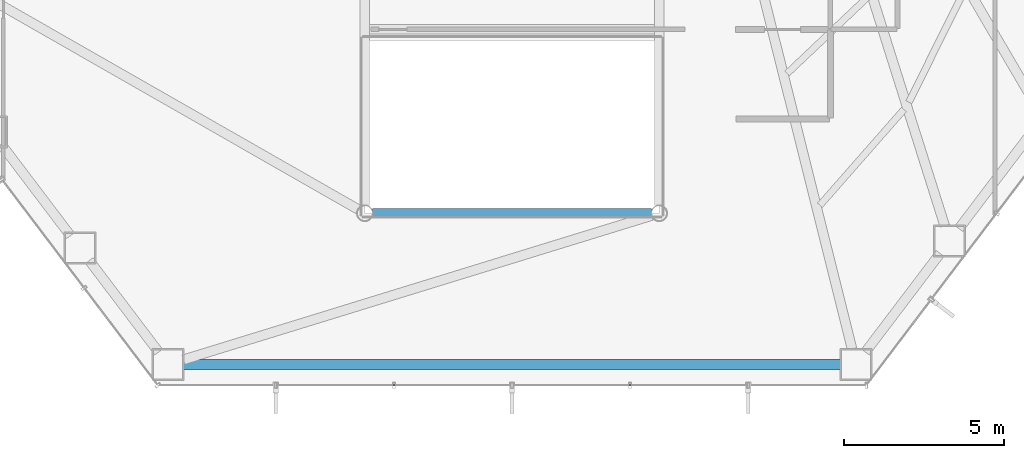
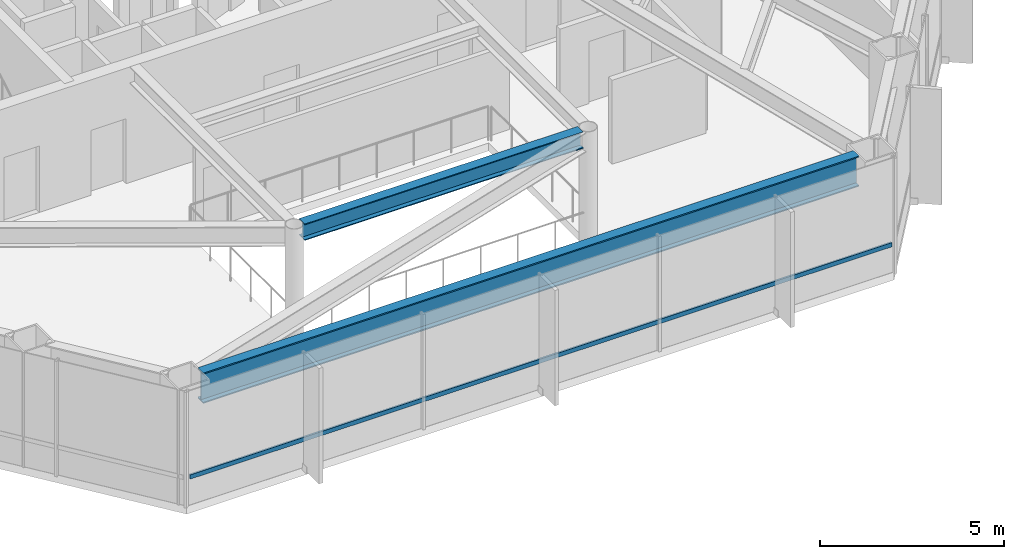
# One storey, part 7 of 25: 2 beams, 1 member, 1 element without a shape of its own.
"""IFC4 building model written with IfcOpenShell, lengths in metres."""

from ifc_helpers import new_model, si_unit, direction, frame, origin, origin_2d, place, context, subcontext, project, spatial, hollow_rectangle, i_section, extrude, material, layer, layer_set, material_profile, profile_set, type_object, element, aggregate, save


model = new_model("IFC4")

# Units and contexts
model_context = context("Model", 3, precision=1e-05, world=origin(), true_north=direction((0.0, 1.0)))
body_context = subcontext(model_context, "Body", "Model", "MODEL_VIEW")
ifc_project = project(units=[si_unit("LENGTHUNIT", "METRE"), si_unit("AREAUNIT", "SQUARE_METRE"), si_unit("VOLUMEUNIT", "CUBIC_METRE"), si_unit("PLANEANGLEUNIT", "RADIAN"), si_unit("MASSUNIT", "GRAM", prefix="KILO")], contexts=[model_context])

# Site, building, storey
site_placement = place(None, origin())
site = spatial("IfcSite", under=ifc_project, at=site_placement, CompositionType="ELEMENT")
building_placement = place(site_placement, origin())
building = spatial("IfcBuilding", under=site, at=building_placement, Name="Zarrinselat Tower", CompositionType="ELEMENT")
storey_placement = place(building_placement, frame((0.0, 0.0, 43.860107421875)))
storey = spatial("IfcBuildingStorey", under=building, at=storey_placement, Name="L10", CompositionType="ELEMENT", Elevation=43.860107421875)

# Beams
ifc_material_1 = material(Name="Steel S355J2", Category="steel")
ifc_material_profile_1 = material_profile(ifc_material_1, i_section(OverallWidth=0.300048828125, OverallDepth=0.550048828125, WebThickness=0.014892578125, FlangeThickness=0.029052734375, at=origin_2d()), Name="HEB 550")
ifc_profile_set_1 = profile_set([ifc_material_profile_1], Name="Steel S355J2")
beam_type_1 = type_object("IfcBeamType", Name="BM-HEB550", PredefinedType="BEAM", material=ifc_profile_set_1)
beam_1_placement = place(storey_placement, frame((34.0400390625, 24.39990234375, 3.544921875), z_axis=(1.0, 0.0, 0.0), x_axis=(0.0, 1.0, 0.0)))
element("IfcBeam", 1, at=beam_1_placement, inside=storey, type_object=beam_type_1, Name="L10 Atrium Edge Beam S", PredefinedType="BEAM", context=body_context, shape_type="SweptSolid", body=[
    extrude(i_section(OverallWidth=0.300048828125, OverallDepth=0.550048828125, WebThickness=0.014892578125, FlangeThickness=0.029052734375, at=origin_2d()), origin(), (0.0, 0.0, 1.0), 8.719970703125),
])
ifc_material_2 = material(Name="Steel S460M", Category="steel")
ifc_material_profile_2 = material_profile(ifc_material_2, i_section(OverallWidth=0.302001953125, OverallDepth=1.008056640625, WebThickness=0.02099609375, FlangeThickness=0.0400390625, at=origin_2d()), Name="HEM 1000")
ifc_profile_set_2 = profile_set([ifc_material_profile_2], Name="Steel S460M")
beam_type_2 = type_object("IfcBeamType", Name="BM-HEM1000", PredefinedType="BEAM", material=ifc_profile_set_2)
beam_2_placement = place(storey_placement, frame((28.136474609375, 19.6728515625, 3.31591796875), z_axis=(1.0, 0.0, 0.0), x_axis=(0.0, 1.0, 0.0)))
element("IfcBeam", 2, at=beam_2_placement, inside=storey, type_object=beam_type_2, Name="L10 Perimeter Spandrel Girder SP10", PredefinedType="BEAM", context=body_context, shape_type="SweptSolid", body=[
    extrude(i_section(OverallWidth=0.302001953125, OverallDepth=1.008056640625, WebThickness=0.02099609375, FlangeThickness=0.0400390625, at=origin_2d()), origin(), (0.0, 0.0, 1.0), 20.527099609375),
])

# Curtain wall, member
ifc_material_3 = material(Name="Extruded Aluminium Alloy EN AW-6063 T6", Category="aluminium")
ifc_layer = layer(ifc_material_3, 0.18505859375)
ifc_layer_set = layer_set([ifc_layer], Name="Extruded Aluminium Alloy EN AW-6063 T6")
curtain_wall_type = type_object("IfcCurtainWallType", Name="CWS-OFF", PredefinedType="NOTDEFINED", material=ifc_layer_set)
curtain_wall_placement = place(storey_placement, origin())
curtain_wall = element("IfcCurtainWall", 3, at=curtain_wall_placement, inside=storey, type_object=curtain_wall_type, Name="L10 Unitised Curtain Wall CW-L10-E04", PredefinedType="NOTDEFINED")
ifc_material_4 = material(Name="Extruded Aluminium Alloy EN AW-6063 T6", Category="aluminium")
ifc_material_profile_3 = material_profile(ifc_material_4, hollow_rectangle(XDim=0.06005859375, YDim=0.139892578125, WallThickness=0.00390625, at=origin_2d()), Name="RHS 140x60x4")
ifc_profile_set_3 = profile_set([ifc_material_profile_3], Name="Extruded Aluminium Alloy EN AW-6063 T6")
member_type = type_object("IfcMemberType", Name="MEM-CW-TRN", PredefinedType="USERDEFINED", material=ifc_profile_set_3)
member_placement = place(storey_placement, frame((27.415283203125, 19.02294921875, 0.949951171875), z_axis=(1.0, 0.0, 0.0), x_axis=(0.0, 1.0, 0.0)))
member = element("IfcMember", 4, at=member_placement, type_object=member_type, Name="CW-L10-E04 Transom 1", ObjectType="TRANSOM", PredefinedType="USERDEFINED", context=body_context, shape_type="SweptSolid", body=[
    extrude(hollow_rectangle(XDim=0.06005859375, YDim=0.139892578125, WallThickness=0.00390625, at=origin_2d()), origin(), (0.0, 0.0, 1.0), 21.96923828125),
])
aggregate(curtain_wall, [member])

save(model, "model.ifc")
